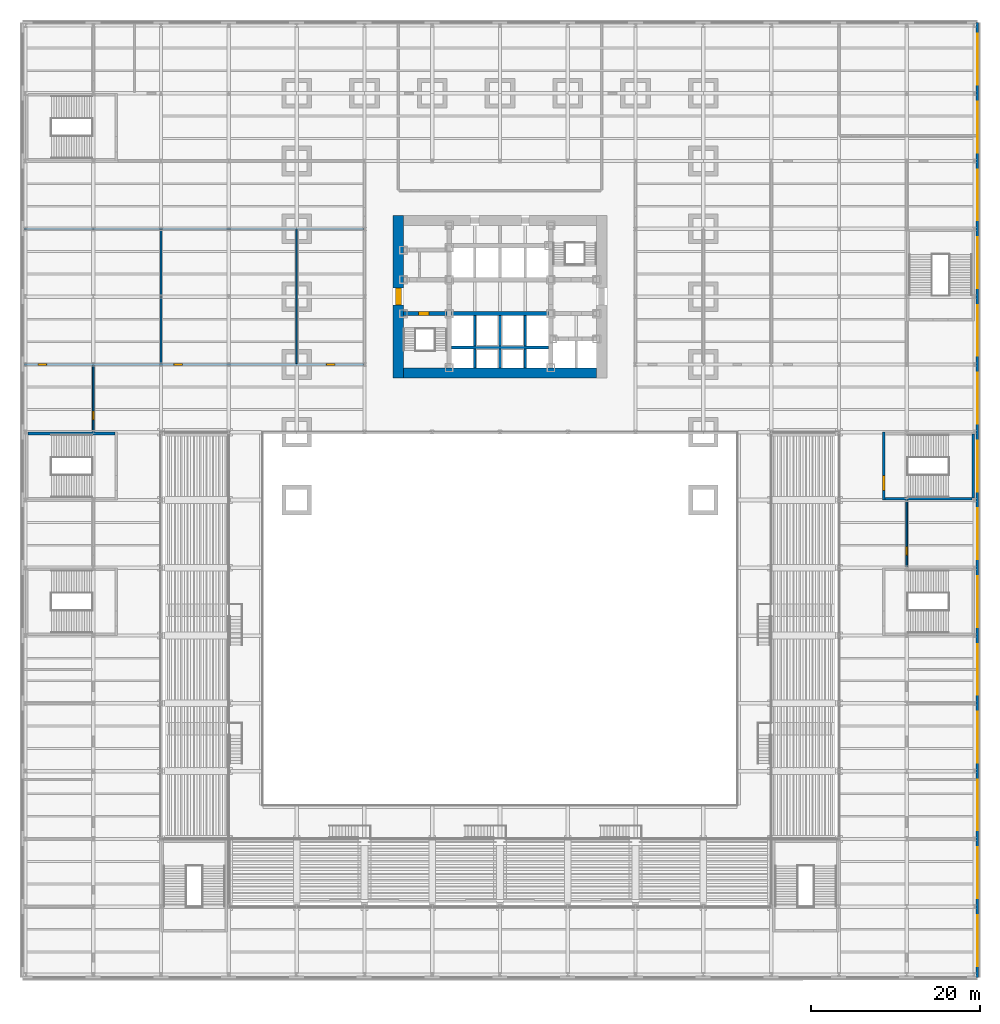
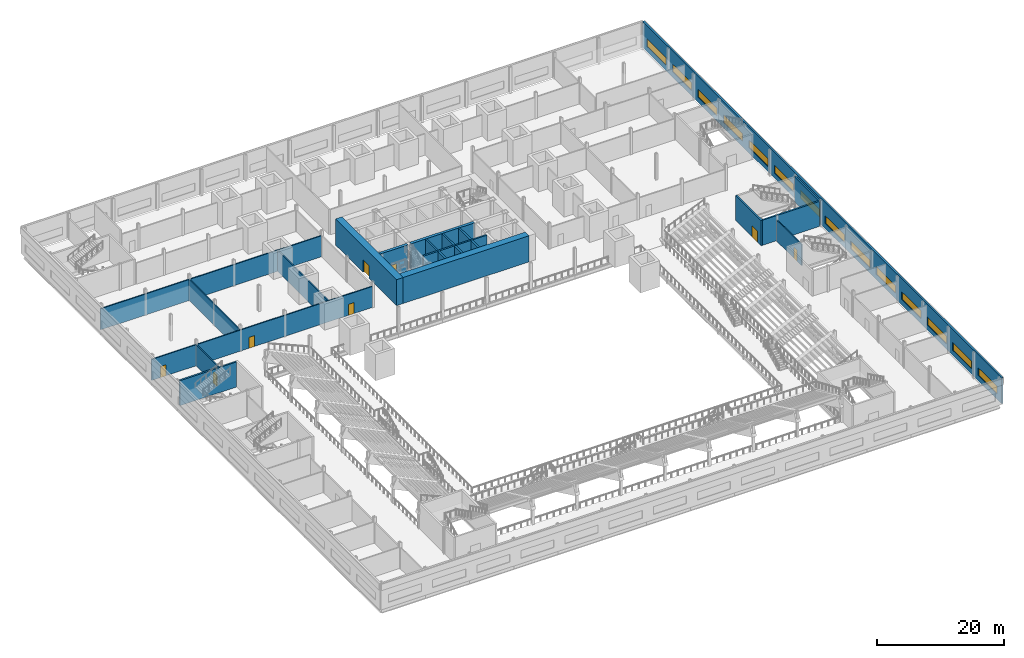
# One storey, part 15 of 27: 22 walls, 14 windows, 8 doors, 22 openings.
"""IFC4 building model written with IfcOpenShell, lengths in metres."""

from ifc_helpers import new_model, si_unit, direction, frame, frame_2d, origin, place, context, subcontext, project, spatial, rectangle, extrude, material, layer, layer_set, type_object, element, fill, save


model = new_model("IFC4")

# Units and contexts
model_context = context("Model", 3, precision=1e-05, world=origin(), true_north=direction((0.0, 1.0)))
body_context = subcontext(model_context, "Body", "Model", "MODEL_VIEW")
ifc_project = project(units=[si_unit("LENGTHUNIT", "METRE"), si_unit("AREAUNIT", "SQUARE_METRE"), si_unit("VOLUMEUNIT", "CUBIC_METRE"), si_unit("PLANEANGLEUNIT", "RADIAN"), si_unit("MASSUNIT", "GRAM", prefix="KILO")], contexts=[model_context])

# Site, building, storey
site_placement = place(None, origin())
site = spatial("IfcSite", under=ifc_project, at=site_placement, CompositionType="ELEMENT")
building_placement = place(site_placement, origin())
building = spatial("IfcBuilding", under=site, at=building_placement, Name="Daluyong Arena Tower", CompositionType="ELEMENT")
storey_placement = place(building_placement, frame((0.0, 0.0, 14.89990234375)))
storey = spatial("IfcBuildingStorey", under=building, at=storey_placement, Name="L03", CompositionType="ELEMENT", Elevation=14.89990234375)

# Wall, opening, door
ifc_material_1 = material(Name="Concrete fc' 45 MPa", Category="concrete")
ifc_layer_1 = layer(ifc_material_1, 0.5)
ifc_layer_set_1 = layer_set([ifc_layer_1], Name="Concrete fc' 45 MPa")
wall_type_1 = type_object("IfcWallType", Name="Core inner wall 500", PredefinedType="SHEAR", material=ifc_layer_set_1)
wall_1_placement = place(storey_placement, frame((44.60009765625, 78.0, 0.0), z_axis=(0.0, 0.0, 1.0), x_axis=(1.0, 0.0, 0.0)))
wall_1 = element("IfcWall", 1, at=wall_1_placement, inside=storey, type_object=wall_type_1, Name="core inner wall at L03", PredefinedType="SHEAR", context=body_context, shape_type="SweptSolid", body=[
    extrude(rectangle(XDim=5.14990234375, YDim=0.5, at=frame_2d((2.574951171875, 0.0))), origin(), (0.0, 0.0, 1.0), 5.0),
])
opening_1_placement = place(wall_1_placement, frame((1.800048828125, 0.0, 0.0)))
opening_1 = element("IfcOpeningElement", 2, at=opening_1_placement, cuts=wall_1, Name="Opening 03006", PredefinedType="OPENING", context=body_context, shape_type="SweptSolid", body=[
    extrude(rectangle(XDim=1.199951171875, YDim=2.10009765625, at=frame_2d((0.60009765625, 1.050048828125))), frame((0.0, 0.260009765625, 0.0), z_axis=(0.0, -1.0, 0.0), x_axis=(1.0, 0.0, 0.0)), (0.0, 0.0, 1.0), 0.52001953125),
])
ifc_material_2 = material(Name="Steel door, fire rated", Category="steel")
door_type_1 = type_object("IfcDoorType", Name="Stair door 1200", OperationType="SINGLE_SWING_LEFT", PredefinedType="DOOR", material=ifc_material_2)
door_1_placement = place(opening_1_placement, origin())
door_1 = element("IfcDoor", 3, at=door_1_placement, inside=storey, type_object=door_type_1, Name="stair A door 03006", OperationType="SINGLE_SWING_LEFT", OverallHeight=2.10009765625, OverallWidth=1.199951171875, PredefinedType="DOOR", context=body_context, shape_type="SweptSolid", body=[
    extrude(rectangle(XDim=1.199951171875, YDim=2.10009765625, at=frame_2d((0.60009765625, 1.050048828125))), frame((0.0, 0.249755859375, 0.0), z_axis=(0.0, -1.0, 0.0), x_axis=(1.0, 0.0, 0.0)), (0.0, 0.0, 1.0), 0.49951171875),
])
fill(opening_1, door_1)

# Wall
wall_2_placement = place(storey_placement, frame((50.25, 78.0, 0.0), z_axis=(0.0, 0.0, 1.0), x_axis=(1.0, 0.0, 0.0)))
element("IfcWall", 4, at=wall_2_placement, inside=storey, type_object=wall_type_1, Name="core inner wall at L03", PredefinedType="SHEAR", context=body_context, shape_type="SweptSolid", body=[
    extrude(rectangle(XDim=11.5, YDim=0.5, at=frame_2d((5.75, 0.0))), origin(), (0.0, 0.0, 1.0), 5.0),
])

# Wall, opening, door
ifc_material_3 = material(Name="Concrete fc' 60 MPa", Category="concrete")
ifc_layer_2 = layer(ifc_material_3, 1.199951171875)
ifc_layer_set_2 = layer_set([ifc_layer_2], Name="Concrete fc' 60 MPa")
wall_type_2 = type_object("IfcWallType", Name="Core wall 1200", PredefinedType="SHEAR", material=ifc_layer_set_2)
wall_3_placement = place(storey_placement, frame((44.0, 70.39990234375, 0.0), z_axis=(0.0, 0.0, 1.0), x_axis=(0.0, 1.0, 0.0)))
wall_3 = element("IfcWall", 5, at=wall_3_placement, inside=storey, type_object=wall_type_2, Name="core wall at L03", PredefinedType="SHEAR", context=body_context, shape_type="SweptSolid", body=[
    extrude(rectangle(XDim=19.2001953125, YDim=1.199951171875, at=frame_2d((9.60009765625, 0.0))), origin(), (0.0, 0.0, 1.0), 5.0),
])
opening_2_placement = place(wall_3_placement, frame((8.60009765625, 0.0, 0.0)))
opening_2 = element("IfcOpeningElement", 6, at=opening_2_placement, cuts=wall_3, Name="Opening 03008", PredefinedType="OPENING", context=body_context, shape_type="SweptSolid", body=[
    extrude(rectangle(XDim=2.0, YDim=2.39990234375, at=frame_2d((1.0, 1.199951171875))), frame((0.0, 0.60986328125, 0.0), z_axis=(0.0, -1.0, 0.0), x_axis=(1.0, 0.0, 0.0)), (0.0, 0.0, 1.0), 1.219970703125),
])
ifc_material_4 = material(Name="Steel door, fire rated", Category="steel")
door_type_2 = type_object("IfcDoorType", Name="Core lobby double door 2000", OperationType="DOUBLE_DOOR_SINGLE_SWING", PredefinedType="DOOR", material=ifc_material_4)
door_2_placement = place(opening_2_placement, origin())
door_2 = element("IfcDoor", 7, at=door_2_placement, inside=storey, type_object=door_type_2, Name="core lobby door west 03008", OperationType="DOUBLE_DOOR_SINGLE_SWING", OverallHeight=2.39990234375, OverallWidth=2.0, PredefinedType="DOOR", context=body_context, shape_type="SweptSolid", body=[
    extrude(rectangle(XDim=2.0, YDim=2.39990234375, at=frame_2d((1.0, 1.199951171875))), frame((0.0, 0.35009765625, 0.0), z_axis=(0.0, -1.0, 0.0), x_axis=(1.0, 0.0, 0.0)), (0.0, 0.0, 1.0), 0.699951171875),
])
fill(opening_2, door_2)

# Walls
wall_4_placement = place(storey_placement, frame((44.60009765625, 71.0, 0.0), z_axis=(0.0, 0.0, 1.0), x_axis=(1.0, 0.0, 0.0)))
element("IfcWall", 8, at=wall_4_placement, inside=storey, type_object=wall_type_2, Name="core wall at L03", PredefinedType="SHEAR", context=body_context, shape_type="SweptSolid", body=[
    extrude(rectangle(XDim=22.7998046875, YDim=1.199951171875, at=frame_2d((11.39990234375, 0.0))), origin(), (0.0, 0.0, 1.0), 5.0),
])
ifc_material_5 = material(Name="Concrete fc' 45 MPa", Category="concrete")
ifc_layer_3 = layer(ifc_material_5, 0.300048828125)
ifc_layer_set_3 = layer_set([ifc_layer_3], Name="Concrete fc' 45 MPa")
wall_type_3 = type_object("IfcWallType", Name="Lift shaft wall 300", PredefinedType="SHEAR", material=ifc_layer_set_3)
wall_5_placement = place(storey_placement, frame((50.25, 74.0, 0.0), z_axis=(0.0, 0.0, 1.0), x_axis=(1.0, 0.0, 0.0)))
element("IfcWall", 9, at=wall_5_placement, inside=storey, type_object=wall_type_3, Name="lift shaft wall at L03", PredefinedType="SHEAR", context=body_context, shape_type="SweptSolid", body=[
    extrude(rectangle(XDim=11.5, YDim=0.300048828125, at=frame_2d((5.75, 0.0))), origin(), (0.0, 0.0, 1.0), 5.0),
])
wall_6_placement = place(storey_placement, frame((53.0, 71.60009765625, 0.0), z_axis=(0.0, 0.0, 1.0), x_axis=(0.0, 1.0, 0.0)))
element("IfcWall", 10, at=wall_6_placement, inside=storey, type_object=wall_type_3, Name="lift shaft wall at L03", PredefinedType="SHEAR", context=body_context, shape_type="SweptSolid", body=[
    extrude(rectangle(XDim=2.25, YDim=0.300048828125, at=frame_2d((1.125, 0.0))), origin(), (0.0, 0.0, 1.0), 5.0),
])
wall_7_placement = place(storey_placement, frame((53.0, 74.14990234375, 0.0), z_axis=(0.0, 0.0, 1.0), x_axis=(0.0, 1.0, 0.0)))
element("IfcWall", 11, at=wall_7_placement, inside=storey, type_object=wall_type_3, Name="lift shaft wall at L03", PredefinedType="SHEAR", context=body_context, shape_type="SweptSolid", body=[
    extrude(rectangle(XDim=3.60009765625, YDim=0.300048828125, at=frame_2d((1.800048828125, 0.0))), origin(), (0.0, 0.0, 1.0), 5.0),
])
wall_8_placement = place(storey_placement, frame((56.0, 71.60009765625, 0.0), z_axis=(0.0, 0.0, 1.0), x_axis=(0.0, 1.0, 0.0)))
element("IfcWall", 12, at=wall_8_placement, inside=storey, type_object=wall_type_3, Name="lift shaft wall at L03", PredefinedType="SHEAR", context=body_context, shape_type="SweptSolid", body=[
    extrude(rectangle(XDim=2.25, YDim=0.300048828125, at=frame_2d((1.125, 0.0))), origin(), (0.0, 0.0, 1.0), 5.0),
])
wall_9_placement = place(storey_placement, frame((56.0, 74.14990234375, 0.0), z_axis=(0.0, 0.0, 1.0), x_axis=(0.0, 1.0, 0.0)))
element("IfcWall", 13, at=wall_9_placement, inside=storey, type_object=wall_type_3, Name="lift shaft wall at L03", PredefinedType="SHEAR", context=body_context, shape_type="SweptSolid", body=[
    extrude(rectangle(XDim=3.60009765625, YDim=0.300048828125, at=frame_2d((1.800048828125, 0.0))), origin(), (0.0, 0.0, 1.0), 5.0),
])
wall_10_placement = place(storey_placement, frame((59.0, 71.60009765625, 0.0), z_axis=(0.0, 0.0, 1.0), x_axis=(0.0, 1.0, 0.0)))
element("IfcWall", 14, at=wall_10_placement, inside=storey, type_object=wall_type_3, Name="lift shaft wall at L03", PredefinedType="SHEAR", context=body_context, shape_type="SweptSolid", body=[
    extrude(rectangle(XDim=2.25, YDim=0.300048828125, at=frame_2d((1.125, 0.0))), origin(), (0.0, 0.0, 1.0), 5.0),
])
wall_11_placement = place(storey_placement, frame((59.0, 74.14990234375, 0.0), z_axis=(0.0, 0.0, 1.0), x_axis=(0.0, 1.0, 0.0)))
element("IfcWall", 15, at=wall_11_placement, inside=storey, type_object=wall_type_3, Name="lift shaft wall at L03", PredefinedType="SHEAR", context=body_context, shape_type="SweptSolid", body=[
    extrude(rectangle(XDim=3.60009765625, YDim=0.300048828125, at=frame_2d((1.800048828125, 0.0))), origin(), (0.0, 0.0, 1.0), 5.0),
])

# Wall, openings, doors
ifc_material_6 = material(Name="Concrete block partition", Category="concrete")
ifc_layer_4 = layer(ifc_material_6, 0.199951171875)
ifc_layer_set_4 = layer_set([ifc_layer_4], Name="Concrete block partition")
wall_type_4 = type_object("IfcWallType", Name="Partition 200", PredefinedType="PARTITIONING", material=ifc_layer_set_4)
wall_12_placement = place(storey_placement, frame((-0.14990234375, 72.0, 0.0), z_axis=(0.0, 0.0, 1.0), x_axis=(1.0, 0.0, 0.0)))
wall_12 = element("IfcWall", 16, at=wall_12_placement, inside=storey, type_object=wall_type_4, Name="partition at L03", PredefinedType="PARTITIONING", context=body_context, shape_type="SweptSolid", body=[
    extrude(rectangle(XDim=40.0498046875, YDim=0.199951171875, at=frame_2d((20.02490234375, 0.0))), origin(), (0.0, 0.0, 1.0), 4.02783203125),
])
opening_3_placement = place(wall_12_placement, frame((1.64990234375, 0.0, 0.0)))
opening_3 = element("IfcOpeningElement", 17, at=opening_3_placement, cuts=wall_12, Name="Opening 03029", PredefinedType="OPENING", context=body_context, shape_type="SweptSolid", body=[
    extrude(rectangle(XDim=1.0, YDim=2.10009765625, at=frame_2d((0.5, 1.050048828125))), frame((0.0, 0.10986328125, 0.0), z_axis=(0.0, -1.0, 0.0), x_axis=(1.0, 0.0, 0.0)), (0.0, 0.0, 1.0), 0.219970703125),
])
opening_4_placement = place(wall_12_placement, frame((17.64990234375, 0.0, 0.0)))
opening_4 = element("IfcOpeningElement", 18, at=opening_4_placement, cuts=wall_12, Name="Opening 03037", PredefinedType="OPENING", context=body_context, shape_type="SweptSolid", body=[
    extrude(rectangle(XDim=1.0, YDim=2.10009765625, at=frame_2d((0.5, 1.050048828125))), frame((0.0, 0.10986328125, 0.0), z_axis=(0.0, -1.0, 0.0), x_axis=(1.0, 0.0, 0.0)), (0.0, 0.0, 1.0), 0.219970703125),
])
opening_5_placement = place(wall_12_placement, frame((35.64990234375, 0.0, 0.0)))
opening_5 = element("IfcOpeningElement", 19, at=opening_5_placement, cuts=wall_12, Name="Opening 03038", PredefinedType="OPENING", context=body_context, shape_type="SweptSolid", body=[
    extrude(rectangle(XDim=1.0, YDim=2.10009765625, at=frame_2d((0.5, 1.050048828125))), frame((0.0, 0.10986328125, 0.0), z_axis=(0.0, -1.0, 0.0), x_axis=(1.0, 0.0, 0.0)), (0.0, 0.0, 1.0), 0.219970703125),
])
ifc_material_7 = material(Name="Timber door", Category="wood")
door_type_3 = type_object("IfcDoorType", Name="Room door 1000", OperationType="SINGLE_SWING_LEFT", PredefinedType="DOOR", material=ifc_material_7)
door_3_placement = place(opening_3_placement, origin())
door_3 = element("IfcDoor", 20, at=door_3_placement, inside=storey, type_object=door_type_3, Name="broadcast control room door 03029", OperationType="SINGLE_SWING_LEFT", OverallHeight=2.10009765625, OverallWidth=1.0, PredefinedType="DOOR", context=body_context, shape_type="SweptSolid", body=[
    extrude(rectangle(XDim=1.0, YDim=2.10009765625, at=frame_2d((0.5, 1.050048828125))), frame((0.0, 0.099609375, 0.0), z_axis=(0.0, -1.0, 0.0), x_axis=(1.0, 0.0, 0.0)), (0.0, 0.0, 1.0), 0.199462890625),
])
fill(opening_3, door_3)
door_4_placement = place(opening_4_placement, origin())
door_4 = element("IfcDoor", 21, at=door_4_placement, inside=storey, type_object=door_type_3, Name="arena maintenance workshop door 03037", OperationType="SINGLE_SWING_LEFT", OverallHeight=2.10009765625, OverallWidth=1.0, PredefinedType="DOOR", context=body_context, shape_type="SweptSolid", body=[
    extrude(rectangle(XDim=1.0, YDim=2.10009765625, at=frame_2d((0.5, 1.050048828125))), frame((0.0, 0.099609375, 0.0), z_axis=(0.0, -1.0, 0.0), x_axis=(1.0, 0.0, 0.0)), (0.0, 0.0, 1.0), 0.199462890625),
])
fill(opening_4, door_4)
door_5_placement = place(opening_5_placement, origin())
door_5 = element("IfcDoor", 22, at=door_5_placement, inside=storey, type_object=door_type_3, Name="arena maintenance workshop door 03038", OperationType="SINGLE_SWING_LEFT", OverallHeight=2.10009765625, OverallWidth=1.0, PredefinedType="DOOR", context=body_context, shape_type="SweptSolid", body=[
    extrude(rectangle(XDim=1.0, YDim=2.10009765625, at=frame_2d((0.5, 1.050048828125))), frame((0.0, 0.099609375, 0.0), z_axis=(0.0, -1.0, 0.0), x_axis=(1.0, 0.0, 0.0)), (0.0, 0.0, 1.0), 0.199462890625),
])
fill(opening_5, door_5)

# Wall
wall_13_placement = place(storey_placement, frame((-0.14990234375, 88.0, 0.0), z_axis=(0.0, 0.0, 1.0), x_axis=(1.0, 0.0, 0.0)))
element("IfcWall", 23, at=wall_13_placement, inside=storey, type_object=wall_type_4, Name="partition at L03", PredefinedType="PARTITIONING", context=body_context, shape_type="SweptSolid", body=[
    extrude(rectangle(XDim=40.0498046875, YDim=0.199951171875, at=frame_2d((20.02490234375, 0.0))), origin(), (0.0, 0.0, 1.0), 4.02783203125),
])

# Wall, opening, door
wall_14_placement = place(storey_placement, frame((8.0, 64.10009765625, 0.0), z_axis=(0.0, 0.0, 1.0), x_axis=(0.0, 1.0, 0.0)))
wall_14 = element("IfcWall", 24, at=wall_14_placement, inside=storey, type_object=wall_type_4, Name="partition at L03", PredefinedType="PARTITIONING", context=body_context, shape_type="SweptSolid", body=[
    extrude(rectangle(XDim=7.7998046875, YDim=0.199951171875, at=frame_2d((3.89990234375, 0.0))), origin(), (0.0, 0.0, 1.0), 4.02783203125),
])
opening_6_placement = place(wall_14_placement, frame((1.39990234375, 0.0, 0.0)))
opening_6 = element("IfcOpeningElement", 25, at=opening_6_placement, cuts=wall_14, Name="Opening 03036", PredefinedType="OPENING", context=body_context, shape_type="SweptSolid", body=[
    extrude(rectangle(XDim=1.0, YDim=2.10009765625, at=frame_2d((0.5, 1.050048828125))), frame((0.0, 0.10986328125, 0.0), z_axis=(0.0, -1.0, 0.0), x_axis=(1.0, 0.0, 0.0)), (0.0, 0.0, 1.0), 0.219970703125),
])
door_6_placement = place(opening_6_placement, origin())
door_6 = element("IfcDoor", 26, at=door_6_placement, inside=storey, type_object=door_type_3, Name="camera and cable workshop door 03036", OperationType="SINGLE_SWING_LEFT", OverallHeight=2.10009765625, OverallWidth=1.0, PredefinedType="DOOR", context=body_context, shape_type="SweptSolid", body=[
    extrude(rectangle(XDim=1.0, YDim=2.10009765625, at=frame_2d((0.5, 1.050048828125))), frame((0.0, 0.099609375, 0.0), z_axis=(0.0, -1.0, 0.0), x_axis=(1.0, 0.0, 0.0)), (0.0, 0.0, 1.0), 0.199462890625),
])
fill(opening_6, door_6)

# Walls
for number, where, z_axis, x_axis, name in (
    (27, (16.0, 72.10009765625, 0.0), (0.0, 0.0, 1.0), (0.0, 1.0, 0.0), "partition at L03"),
    (28, (32.0, 72.10009765625, 0.0), (0.0, 0.0, 1.0), (0.0, 1.0, 0.0), "partition at L03"),
):
    element("IfcWall", number, at=place(storey_placement, frame(where, z_axis=z_axis, x_axis=x_axis)), inside=storey, type_object=wall_type_4, Name=name, PredefinedType="PARTITIONING", context=body_context, shape_type="SweptSolid", body=[
        extrude(rectangle(XDim=15.7998046875, YDim=0.199951171875, at=frame_2d((7.89990234375, 0.0))), origin(), (0.0, 0.0, 1.0), 4.02783203125),
    ])

# Wall, opening, door
wall_15_placement = place(storey_placement, frame((104.0, 48.10009765625, 0.0), z_axis=(0.0, 0.0, 1.0), x_axis=(0.0, 1.0, 0.0)))
wall_15 = element("IfcWall", 29, at=wall_15_placement, inside=storey, type_object=wall_type_4, Name="partition at L03", PredefinedType="PARTITIONING", context=body_context, shape_type="SweptSolid", body=[
    extrude(rectangle(XDim=7.7998046875, YDim=0.199951171875, at=frame_2d((3.89990234375, 0.0))), origin(), (0.0, 0.0, 1.0), 4.02783203125),
])
opening_7_placement = place(wall_15_placement, frame((1.39990234375, 0.0, 0.0)))
opening_7 = element("IfcOpeningElement", 30, at=opening_7_placement, cuts=wall_15, Name="Opening 03035", PredefinedType="OPENING", context=body_context, shape_type="SweptSolid", body=[
    extrude(rectangle(XDim=1.0, YDim=2.10009765625, at=frame_2d((0.5, 1.050048828125))), frame((0.0, 0.10986328125, 0.0), z_axis=(0.0, -1.0, 0.0), x_axis=(1.0, 0.0, 0.0)), (0.0, 0.0, 1.0), 0.219970703125),
])
door_7_placement = place(opening_7_placement, origin())
door_7 = element("IfcDoor", 31, at=door_7_placement, inside=storey, type_object=door_type_3, Name="food and beverage kiosk door 03035", OperationType="SINGLE_SWING_LEFT", OverallHeight=2.10009765625, OverallWidth=1.0, PredefinedType="DOOR", context=body_context, shape_type="SweptSolid", body=[
    extrude(rectangle(XDim=1.0, YDim=2.10009765625, at=frame_2d((0.5, 1.050048828125))), frame((0.0, 0.099609375, 0.0), z_axis=(0.0, -1.0, 0.0), x_axis=(1.0, 0.0, 0.0)), (0.0, 0.0, 1.0), 0.199462890625),
])
fill(opening_7, door_7)

# Wall, openings, windows
ifc_material_8 = material(Name="Precast concrete fc' 45 MPa", Category="concrete")
ifc_layer_5 = layer(ifc_material_8, 0.300048828125)
ifc_layer_set_5 = layer_set([ifc_layer_5], Name="Precast concrete fc' 45 MPa")
wall_type_5 = type_object("IfcWallType", Name="Podium precast band wall 300", PredefinedType="SOLIDWALL", material=ifc_layer_set_5)
wall_16_placement = place(storey_placement, frame((112.35009765625, -0.35009765625, 0.0), z_axis=(0.0, 0.0, 1.0), x_axis=(0.0, 1.0, 0.0)))
wall_16 = element("IfcWall", 32, at=wall_16_placement, inside=storey, type_object=wall_type_5, Name="podium wall E L03", PredefinedType="SOLIDWALL", context=body_context, shape_type="SweptSolid", body=[
    extrude(rectangle(XDim=112.7001953125, YDim=0.300048828125, at=frame_2d((56.35009765625, 0.0))), origin(), (0.0, 0.0, 1.0), 5.0),
])
opening_8_placement = place(wall_16_placement, frame((1.35009765625, 0.0, 1.0)))
opening_8 = element("IfcOpeningElement", 33, at=opening_8_placement, cuts=wall_16, Name="Opening W1", PredefinedType="OPENING", context=body_context, shape_type="SweptSolid", body=[
    extrude(rectangle(XDim=6.0, YDim=1.5, at=frame_2d((3.0, 0.75))), frame((0.0, 0.159912109375, 0.0), z_axis=(0.0, -1.0, 0.0), x_axis=(1.0, 0.0, 0.0)), (0.0, 0.0, 1.0), 0.320068359375),
])
opening_9_placement = place(wall_16_placement, frame((9.35009765625, 0.0, 1.0)))
opening_9 = element("IfcOpeningElement", 34, at=opening_9_placement, cuts=wall_16, Name="Opening W1", PredefinedType="OPENING", context=body_context, shape_type="SweptSolid", body=[
    extrude(rectangle(XDim=6.0, YDim=1.5, at=frame_2d((3.0, 0.75))), frame((0.0, 0.159912109375, 0.0), z_axis=(0.0, -1.0, 0.0), x_axis=(1.0, 0.0, 0.0)), (0.0, 0.0, 1.0), 0.320068359375),
])
opening_10_placement = place(wall_16_placement, frame((17.35009765625, 0.0, 1.0)))
opening_10 = element("IfcOpeningElement", 35, at=opening_10_placement, cuts=wall_16, Name="Opening W1", PredefinedType="OPENING", context=body_context, shape_type="SweptSolid", body=[
    extrude(rectangle(XDim=6.0, YDim=1.5, at=frame_2d((3.0, 0.75))), frame((0.0, 0.159912109375, 0.0), z_axis=(0.0, -1.0, 0.0), x_axis=(1.0, 0.0, 0.0)), (0.0, 0.0, 1.0), 0.320068359375),
])
opening_11_placement = place(wall_16_placement, frame((25.35009765625, 0.0, 1.0)))
opening_11 = element("IfcOpeningElement", 36, at=opening_11_placement, cuts=wall_16, Name="Opening W1", PredefinedType="OPENING", context=body_context, shape_type="SweptSolid", body=[
    extrude(rectangle(XDim=6.0, YDim=1.5, at=frame_2d((3.0, 0.75))), frame((0.0, 0.159912109375, 0.0), z_axis=(0.0, -1.0, 0.0), x_axis=(1.0, 0.0, 0.0)), (0.0, 0.0, 1.0), 0.320068359375),
])
opening_12_placement = place(wall_16_placement, frame((33.35009765625, 0.0, 1.0)))
opening_12 = element("IfcOpeningElement", 37, at=opening_12_placement, cuts=wall_16, Name="Opening W1", PredefinedType="OPENING", context=body_context, shape_type="SweptSolid", body=[
    extrude(rectangle(XDim=6.0, YDim=1.5, at=frame_2d((3.0, 0.75))), frame((0.0, 0.159912109375, 0.0), z_axis=(0.0, -1.0, 0.0), x_axis=(1.0, 0.0, 0.0)), (0.0, 0.0, 1.0), 0.320068359375),
])
opening_13_placement = place(wall_16_placement, frame((41.35009765625, 0.0, 1.0)))
opening_13 = element("IfcOpeningElement", 38, at=opening_13_placement, cuts=wall_16, Name="Opening W1", PredefinedType="OPENING", context=body_context, shape_type="SweptSolid", body=[
    extrude(rectangle(XDim=6.0, YDim=1.5, at=frame_2d((3.0, 0.75))), frame((0.0, 0.159912109375, 0.0), z_axis=(0.0, -1.0, 0.0), x_axis=(1.0, 0.0, 0.0)), (0.0, 0.0, 1.0), 0.320068359375),
])
opening_14_placement = place(wall_16_placement, frame((49.35009765625, 0.0, 1.0)))
opening_14 = element("IfcOpeningElement", 39, at=opening_14_placement, cuts=wall_16, Name="Opening W1", PredefinedType="OPENING", context=body_context, shape_type="SweptSolid", body=[
    extrude(rectangle(XDim=6.0, YDim=1.5, at=frame_2d((3.0, 0.75))), frame((0.0, 0.159912109375, 0.0), z_axis=(0.0, -1.0, 0.0), x_axis=(1.0, 0.0, 0.0)), (0.0, 0.0, 1.0), 0.320068359375),
])
opening_15_placement = place(wall_16_placement, frame((57.35009765625, 0.0, 1.0)))
opening_15 = element("IfcOpeningElement", 40, at=opening_15_placement, cuts=wall_16, Name="Opening W1", PredefinedType="OPENING", context=body_context, shape_type="SweptSolid", body=[
    extrude(rectangle(XDim=6.0, YDim=1.5, at=frame_2d((3.0, 0.75))), frame((0.0, 0.159912109375, 0.0), z_axis=(0.0, -1.0, 0.0), x_axis=(1.0, 0.0, 0.0)), (0.0, 0.0, 1.0), 0.320068359375),
])
opening_16_placement = place(wall_16_placement, frame((65.35009765625, 0.0, 1.0)))
opening_16 = element("IfcOpeningElement", 41, at=opening_16_placement, cuts=wall_16, Name="Opening W1", PredefinedType="OPENING", context=body_context, shape_type="SweptSolid", body=[
    extrude(rectangle(XDim=6.0, YDim=1.5, at=frame_2d((3.0, 0.75))), frame((0.0, 0.159912109375, 0.0), z_axis=(0.0, -1.0, 0.0), x_axis=(1.0, 0.0, 0.0)), (0.0, 0.0, 1.0), 0.320068359375),
])
opening_17_placement = place(wall_16_placement, frame((73.35009765625, 0.0, 1.0)))
opening_17 = element("IfcOpeningElement", 42, at=opening_17_placement, cuts=wall_16, Name="Opening W1", PredefinedType="OPENING", context=body_context, shape_type="SweptSolid", body=[
    extrude(rectangle(XDim=6.0, YDim=1.5, at=frame_2d((3.0, 0.75))), frame((0.0, 0.159912109375, 0.0), z_axis=(0.0, -1.0, 0.0), x_axis=(1.0, 0.0, 0.0)), (0.0, 0.0, 1.0), 0.320068359375),
])
opening_18_placement = place(wall_16_placement, frame((81.35009765625, 0.0, 1.0)))
opening_18 = element("IfcOpeningElement", 43, at=opening_18_placement, cuts=wall_16, Name="Opening W1", PredefinedType="OPENING", context=body_context, shape_type="SweptSolid", body=[
    extrude(rectangle(XDim=6.0, YDim=1.5, at=frame_2d((3.0, 0.75))), frame((0.0, 0.159912109375, 0.0), z_axis=(0.0, -1.0, 0.0), x_axis=(1.0, 0.0, 0.0)), (0.0, 0.0, 1.0), 0.320068359375),
])
opening_19_placement = place(wall_16_placement, frame((89.35009765625, 0.0, 1.0)))
opening_19 = element("IfcOpeningElement", 44, at=opening_19_placement, cuts=wall_16, Name="Opening W1", PredefinedType="OPENING", context=body_context, shape_type="SweptSolid", body=[
    extrude(rectangle(XDim=6.0, YDim=1.5, at=frame_2d((3.0, 0.75))), frame((0.0, 0.159912109375, 0.0), z_axis=(0.0, -1.0, 0.0), x_axis=(1.0, 0.0, 0.0)), (0.0, 0.0, 1.0), 0.320068359375),
])
opening_20_placement = place(wall_16_placement, frame((97.35009765625, 0.0, 1.0)))
opening_20 = element("IfcOpeningElement", 45, at=opening_20_placement, cuts=wall_16, Name="Opening W1", PredefinedType="OPENING", context=body_context, shape_type="SweptSolid", body=[
    extrude(rectangle(XDim=6.0, YDim=1.5, at=frame_2d((3.0, 0.75))), frame((0.0, 0.159912109375, 0.0), z_axis=(0.0, -1.0, 0.0), x_axis=(1.0, 0.0, 0.0)), (0.0, 0.0, 1.0), 0.320068359375),
])
opening_21_placement = place(wall_16_placement, frame((105.35009765625, 0.0, 1.0)))
opening_21 = element("IfcOpeningElement", 46, at=opening_21_placement, cuts=wall_16, Name="Opening W1", PredefinedType="OPENING", context=body_context, shape_type="SweptSolid", body=[
    extrude(rectangle(XDim=6.0, YDim=1.5, at=frame_2d((3.0, 0.75))), frame((0.0, 0.159912109375, 0.0), z_axis=(0.0, -1.0, 0.0), x_axis=(1.0, 0.0, 0.0)), (0.0, 0.0, 1.0), 0.320068359375),
])
ifc_material_9 = material(Name="Bronze aluminium window, tinted glass", Category="aluminium")
window_type = type_object("IfcWindowType", Name="Ribbon window 6000x1500", PartitioningType="TRIPLE_PANEL_HORIZONTAL", PredefinedType="WINDOW", material=ifc_material_9)
window_1_placement = place(opening_8_placement, origin())
window_1 = element("IfcWindow", 47, at=window_1_placement, inside=storey, type_object=window_type, Name="ribbon window E", OverallHeight=1.5, OverallWidth=6.0, PartitioningType="SINGLE_PANEL", PredefinedType="WINDOW", context=body_context, shape_type="SweptSolid", body=[
    extrude(rectangle(XDim=6.0, YDim=1.5, at=frame_2d((3.0, 0.75))), frame((0.0, 0.030029296875, 0.0), z_axis=(0.0, -1.0, 0.0), x_axis=(1.0, 0.0, 0.0)), (0.0, 0.0, 1.0), 0.06005859375),
])
fill(opening_8, window_1)
window_2_placement = place(opening_9_placement, origin())
window_2 = element("IfcWindow", 48, at=window_2_placement, inside=storey, type_object=window_type, Name="ribbon window E", OverallHeight=1.5, OverallWidth=6.0, PartitioningType="SINGLE_PANEL", PredefinedType="WINDOW", context=body_context, shape_type="SweptSolid", body=[
    extrude(rectangle(XDim=6.0, YDim=1.5, at=frame_2d((3.0, 0.75))), frame((0.0, 0.030029296875, 0.0), z_axis=(0.0, -1.0, 0.0), x_axis=(1.0, 0.0, 0.0)), (0.0, 0.0, 1.0), 0.06005859375),
])
fill(opening_9, window_2)
window_3_placement = place(opening_10_placement, origin())
window_3 = element("IfcWindow", 49, at=window_3_placement, inside=storey, type_object=window_type, Name="ribbon window E", OverallHeight=1.5, OverallWidth=6.0, PartitioningType="SINGLE_PANEL", PredefinedType="WINDOW", context=body_context, shape_type="SweptSolid", body=[
    extrude(rectangle(XDim=6.0, YDim=1.5, at=frame_2d((3.0, 0.75))), frame((0.0, 0.030029296875, 0.0), z_axis=(0.0, -1.0, 0.0), x_axis=(1.0, 0.0, 0.0)), (0.0, 0.0, 1.0), 0.06005859375),
])
fill(opening_10, window_3)
window_4_placement = place(opening_11_placement, origin())
window_4 = element("IfcWindow", 50, at=window_4_placement, inside=storey, type_object=window_type, Name="ribbon window E", OverallHeight=1.5, OverallWidth=6.0, PartitioningType="SINGLE_PANEL", PredefinedType="WINDOW", context=body_context, shape_type="SweptSolid", body=[
    extrude(rectangle(XDim=6.0, YDim=1.5, at=frame_2d((3.0, 0.75))), frame((0.0, 0.030029296875, 0.0), z_axis=(0.0, -1.0, 0.0), x_axis=(1.0, 0.0, 0.0)), (0.0, 0.0, 1.0), 0.06005859375),
])
fill(opening_11, window_4)
window_5_placement = place(opening_12_placement, origin())
window_5 = element("IfcWindow", 51, at=window_5_placement, inside=storey, type_object=window_type, Name="ribbon window E", OverallHeight=1.5, OverallWidth=6.0, PartitioningType="SINGLE_PANEL", PredefinedType="WINDOW", context=body_context, shape_type="SweptSolid", body=[
    extrude(rectangle(XDim=6.0, YDim=1.5, at=frame_2d((3.0, 0.75))), frame((0.0, 0.030029296875, 0.0), z_axis=(0.0, -1.0, 0.0), x_axis=(1.0, 0.0, 0.0)), (0.0, 0.0, 1.0), 0.06005859375),
])
fill(opening_12, window_5)
window_6_placement = place(opening_13_placement, origin())
window_6 = element("IfcWindow", 52, at=window_6_placement, inside=storey, type_object=window_type, Name="ribbon window E", OverallHeight=1.5, OverallWidth=6.0, PartitioningType="SINGLE_PANEL", PredefinedType="WINDOW", context=body_context, shape_type="SweptSolid", body=[
    extrude(rectangle(XDim=6.0, YDim=1.5, at=frame_2d((3.0, 0.75))), frame((0.0, 0.030029296875, 0.0), z_axis=(0.0, -1.0, 0.0), x_axis=(1.0, 0.0, 0.0)), (0.0, 0.0, 1.0), 0.06005859375),
])
fill(opening_13, window_6)
window_7_placement = place(opening_14_placement, origin())
window_7 = element("IfcWindow", 53, at=window_7_placement, inside=storey, type_object=window_type, Name="ribbon window E", OverallHeight=1.5, OverallWidth=6.0, PartitioningType="SINGLE_PANEL", PredefinedType="WINDOW", context=body_context, shape_type="SweptSolid", body=[
    extrude(rectangle(XDim=6.0, YDim=1.5, at=frame_2d((3.0, 0.75))), frame((0.0, 0.030029296875, 0.0), z_axis=(0.0, -1.0, 0.0), x_axis=(1.0, 0.0, 0.0)), (0.0, 0.0, 1.0), 0.06005859375),
])
fill(opening_14, window_7)
window_8_placement = place(opening_15_placement, origin())
window_8 = element("IfcWindow", 54, at=window_8_placement, inside=storey, type_object=window_type, Name="ribbon window E", OverallHeight=1.5, OverallWidth=6.0, PartitioningType="SINGLE_PANEL", PredefinedType="WINDOW", context=body_context, shape_type="SweptSolid", body=[
    extrude(rectangle(XDim=6.0, YDim=1.5, at=frame_2d((3.0, 0.75))), frame((0.0, 0.030029296875, 0.0), z_axis=(0.0, -1.0, 0.0), x_axis=(1.0, 0.0, 0.0)), (0.0, 0.0, 1.0), 0.06005859375),
])
fill(opening_15, window_8)
window_9_placement = place(opening_16_placement, origin())
window_9 = element("IfcWindow", 55, at=window_9_placement, inside=storey, type_object=window_type, Name="ribbon window E", OverallHeight=1.5, OverallWidth=6.0, PartitioningType="SINGLE_PANEL", PredefinedType="WINDOW", context=body_context, shape_type="SweptSolid", body=[
    extrude(rectangle(XDim=6.0, YDim=1.5, at=frame_2d((3.0, 0.75))), frame((0.0, 0.030029296875, 0.0), z_axis=(0.0, -1.0, 0.0), x_axis=(1.0, 0.0, 0.0)), (0.0, 0.0, 1.0), 0.06005859375),
])
fill(opening_16, window_9)
window_10_placement = place(opening_17_placement, origin())
window_10 = element("IfcWindow", 56, at=window_10_placement, inside=storey, type_object=window_type, Name="ribbon window E", OverallHeight=1.5, OverallWidth=6.0, PartitioningType="SINGLE_PANEL", PredefinedType="WINDOW", context=body_context, shape_type="SweptSolid", body=[
    extrude(rectangle(XDim=6.0, YDim=1.5, at=frame_2d((3.0, 0.75))), frame((0.0, 0.030029296875, 0.0), z_axis=(0.0, -1.0, 0.0), x_axis=(1.0, 0.0, 0.0)), (0.0, 0.0, 1.0), 0.06005859375),
])
fill(opening_17, window_10)
window_11_placement = place(opening_18_placement, origin())
window_11 = element("IfcWindow", 57, at=window_11_placement, inside=storey, type_object=window_type, Name="ribbon window E", OverallHeight=1.5, OverallWidth=6.0, PartitioningType="SINGLE_PANEL", PredefinedType="WINDOW", context=body_context, shape_type="SweptSolid", body=[
    extrude(rectangle(XDim=6.0, YDim=1.5, at=frame_2d((3.0, 0.75))), frame((0.0, 0.030029296875, 0.0), z_axis=(0.0, -1.0, 0.0), x_axis=(1.0, 0.0, 0.0)), (0.0, 0.0, 1.0), 0.06005859375),
])
fill(opening_18, window_11)
window_12_placement = place(opening_19_placement, origin())
window_12 = element("IfcWindow", 58, at=window_12_placement, inside=storey, type_object=window_type, Name="ribbon window E", OverallHeight=1.5, OverallWidth=6.0, PartitioningType="SINGLE_PANEL", PredefinedType="WINDOW", context=body_context, shape_type="SweptSolid", body=[
    extrude(rectangle(XDim=6.0, YDim=1.5, at=frame_2d((3.0, 0.75))), frame((0.0, 0.030029296875, 0.0), z_axis=(0.0, -1.0, 0.0), x_axis=(1.0, 0.0, 0.0)), (0.0, 0.0, 1.0), 0.06005859375),
])
fill(opening_19, window_12)
window_13_placement = place(opening_20_placement, origin())
window_13 = element("IfcWindow", 59, at=window_13_placement, inside=storey, type_object=window_type, Name="ribbon window E", OverallHeight=1.5, OverallWidth=6.0, PartitioningType="SINGLE_PANEL", PredefinedType="WINDOW", context=body_context, shape_type="SweptSolid", body=[
    extrude(rectangle(XDim=6.0, YDim=1.5, at=frame_2d((3.0, 0.75))), frame((0.0, 0.030029296875, 0.0), z_axis=(0.0, -1.0, 0.0), x_axis=(1.0, 0.0, 0.0)), (0.0, 0.0, 1.0), 0.06005859375),
])
fill(opening_20, window_13)
window_14_placement = place(opening_21_placement, origin())
window_14 = element("IfcWindow", 60, at=window_14_placement, inside=storey, type_object=window_type, Name="ribbon window E", OverallHeight=1.5, OverallWidth=6.0, PartitioningType="SINGLE_PANEL", PredefinedType="WINDOW", context=body_context, shape_type="SweptSolid", body=[
    extrude(rectangle(XDim=6.0, YDim=1.5, at=frame_2d((3.0, 0.75))), frame((0.0, 0.030029296875, 0.0), z_axis=(0.0, -1.0, 0.0), x_axis=(1.0, 0.0, 0.0)), (0.0, 0.0, 1.0), 0.06005859375),
])
fill(opening_21, window_14)

# Wall
ifc_material_10 = material(Name="Concrete fc' 35 MPa", Category="concrete")
ifc_layer_6 = layer(ifc_material_10, 0.300048828125)
ifc_layer_set_6 = layer_set([ifc_layer_6], Name="Concrete fc' 35 MPa")
wall_type_6 = type_object("IfcWallType", Name="Stair enclosure wall 300", PredefinedType="SOLIDWALL", material=ifc_layer_set_6)
wall_17_placement = place(storey_placement, frame((0.300048828125, 63.85009765625, 0.0), z_axis=(0.0, 0.0, 1.0), x_axis=(1.0, 0.0, 0.0)))
element("IfcWall", 61, at=wall_17_placement, inside=storey, type_object=wall_type_6, Name="exit stair PS7 enclosure", PredefinedType="SOLIDWALL", context=body_context, shape_type="SweptSolid", body=[
    extrude(rectangle(XDim=10.25, YDim=0.300048828125, at=frame_2d((5.125, 0.0))), origin(), (0.0, 0.0, 1.0), 4.800048828125),
])

# Wall, opening, door
wall_18_placement = place(storey_placement, frame((101.300048828125, 56.0, 0.0), z_axis=(0.0, 0.0, 1.0), x_axis=(0.0, 1.0, 0.0)))
wall_18 = element("IfcWall", 62, at=wall_18_placement, inside=storey, type_object=wall_type_6, Name="exit stair PS8 enclosure", PredefinedType="SOLIDWALL", context=body_context, shape_type="SweptSolid", body=[
    extrude(rectangle(XDim=8.0, YDim=0.300048828125, at=frame_2d((4.0, 0.0))), origin(), (0.0, 0.0, 1.0), 4.800048828125),
])
opening_22_placement = place(wall_18_placement, frame((1.10009765625, 0.0, 0.0)))
opening_22 = element("IfcOpeningElement", 63, at=opening_22_placement, cuts=wall_18, Name="Opening 03022", PredefinedType="OPENING", context=body_context, shape_type="SweptSolid", body=[
    extrude(rectangle(XDim=1.800048828125, YDim=2.10009765625, at=frame_2d((0.89990234375, 1.050048828125))), frame((0.0, 0.159912109375, 0.0), z_axis=(0.0, -1.0, 0.0), x_axis=(1.0, 0.0, 0.0)), (0.0, 0.0, 1.0), 0.320068359375),
])
ifc_material_11 = material(Name="Steel door, fire rated", Category="steel")
door_type_4 = type_object("IfcDoorType", Name="Exit stair double door 1800", OperationType="DOUBLE_DOOR_SINGLE_SWING", PredefinedType="DOOR", material=ifc_material_11)
door_8_placement = place(opening_22_placement, origin())
door_8 = element("IfcDoor", 64, at=door_8_placement, inside=storey, type_object=door_type_4, Name="exit stair PS8 door 03022", OperationType="DOUBLE_DOOR_SINGLE_SWING", OverallHeight=2.10009765625, OverallWidth=1.800048828125, PredefinedType="DOOR", context=body_context, shape_type="SweptSolid", body=[
    extrude(rectangle(XDim=1.800048828125, YDim=2.10009765625, at=frame_2d((0.89990234375, 1.050048828125))), frame((0.0, 0.14990234375, 0.0), z_axis=(0.0, -1.0, 0.0), x_axis=(1.0, 0.0, 0.0)), (0.0, 0.0, 1.0), 0.299560546875),
])
fill(opening_22, door_8)

# Walls
wall_19_placement = place(storey_placement, frame((111.85009765625, 56.208251953125, 0.0), z_axis=(0.0, 0.0, 1.0), x_axis=(0.0, 1.0, 0.0)))
element("IfcWall", 65, at=wall_19_placement, inside=storey, type_object=wall_type_6, Name="exit stair PS8 enclosure", PredefinedType="SOLIDWALL", context=body_context, shape_type="SweptSolid", body=[
    extrude(rectangle(XDim=7.58349609375, YDim=0.300048828125, at=frame_2d((3.791748046875, 0.0))), origin(), (0.0, 0.0, 1.0), 4.800048828125),
])
wall_20_placement = place(storey_placement, frame((101.449951171875, 56.14990234375, 0.0), z_axis=(0.0, 0.0, 1.0), x_axis=(1.0, 0.0, 0.0)))
element("IfcWall", 66, at=wall_20_placement, inside=storey, type_object=wall_type_6, Name="exit stair PS8 enclosure", PredefinedType="SOLIDWALL", context=body_context, shape_type="SweptSolid", body=[
    extrude(rectangle(XDim=10.25, YDim=0.300048828125, at=frame_2d((5.125, 0.0))), origin(), (0.0, 0.0, 1.0), 4.800048828125),
])

save(model, "model.ifc")
